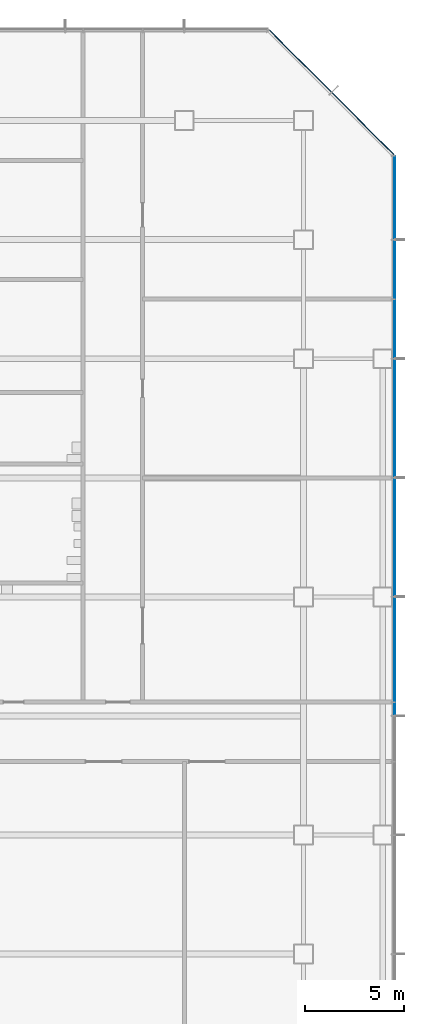
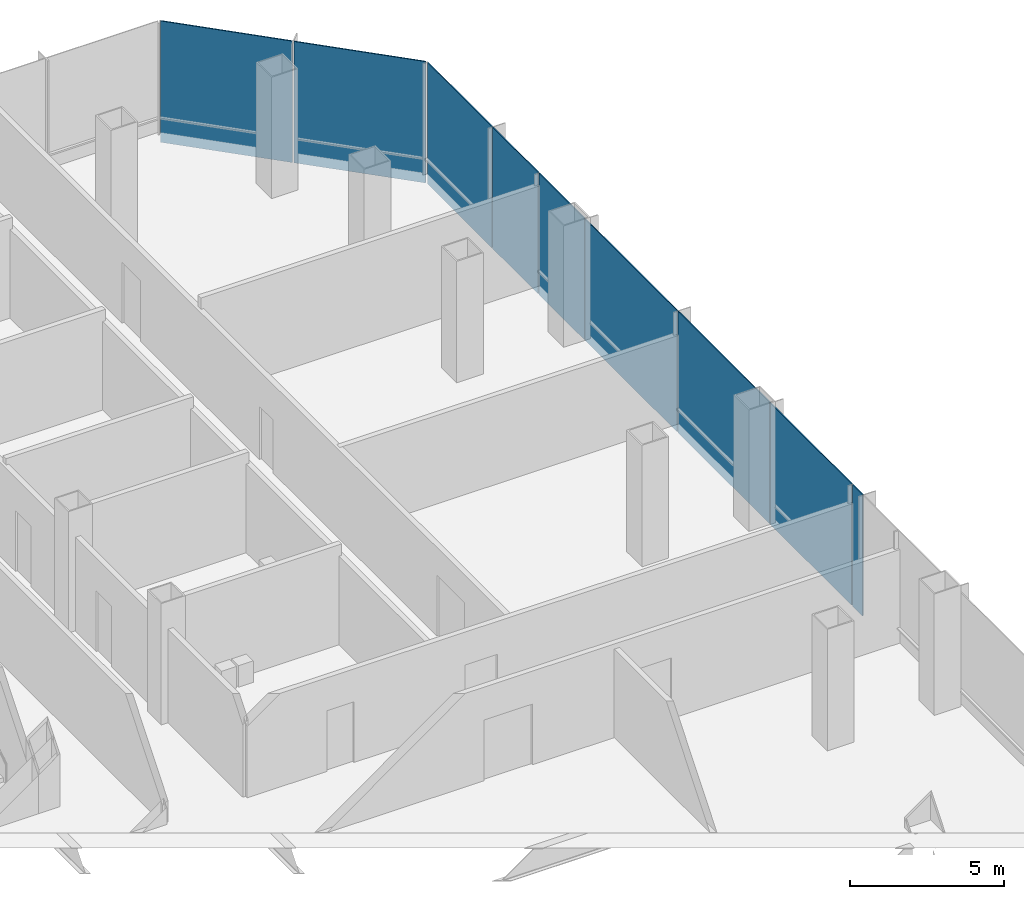
# One storey, part 22 of 33: 9 plates, 2 elements without a shape of their own.
"""IFC4 building model written with IfcOpenShell, lengths in metres."""

from ifc_helpers import new_model, si_unit, direction, frame, origin, origin_2d, place, context, subcontext, project, spatial, rectangle, extrude, material, layer, layer_set, type_object, element, aggregate, save


model = new_model("IFC4")

# Units and contexts
model_context = context("Model", 3, precision=1e-05, world=origin(), true_north=direction((0.0, 1.0)))
body_context = subcontext(model_context, "Body", "Model", "MODEL_VIEW")
ifc_project = project(units=[si_unit("LENGTHUNIT", "METRE"), si_unit("AREAUNIT", "SQUARE_METRE"), si_unit("VOLUMEUNIT", "CUBIC_METRE"), si_unit("PLANEANGLEUNIT", "RADIAN"), si_unit("MASSUNIT", "GRAM", prefix="KILO")], contexts=[model_context])

# Site, building, storey
site_placement = place(None, origin())
site = spatial("IfcSite", under=ifc_project, at=site_placement, CompositionType="ELEMENT")
building_placement = place(site_placement, origin())
building = spatial("IfcBuilding", under=site, at=building_placement, Name="Sorahane Residences", CompositionType="ELEMENT")
storey_placement = place(building_placement, frame((0.0, 0.0, 25.199951171875)))
storey = spatial("IfcBuildingStorey", under=building, at=storey_placement, Name="L03", CompositionType="ELEMENT", Elevation=25.199951171875)

# Curtain wall, plates
ifc_material_1 = material(Name="Dark low-e glass and black anodised aluminium", Category="aluminium")
curtain_wall_type = type_object("IfcCurtainWallType", Name="Curtain wall CW-3 Podium unitised wall", PredefinedType="NOTDEFINED", material=ifc_material_1)
curtain_wall_1_placement = place(storey_placement, origin())
curtain_wall_1 = element("IfcCurtainWall", 1, at=curtain_wall_1_placement, inside=storey, type_object=curtain_wall_type, Name="CW-3 curtain wall L03 E1", PredefinedType="NOTDEFINED")
ifc_material_2 = material(Name="Dark low-e glass with black ceramic frit", Category="glass")
ifc_layer = layer(ifc_material_2, 0.0400390625)
ifc_layer_set = layer_set([ifc_layer], Name="Curtain wall glass panel dark low-e podium with black frit spandrel band")
plate_type = type_object("IfcPlateType", Name="Curtain wall glass panel dark low-e podium with black frit spandrel band", PredefinedType="CURTAIN_PANEL", material=ifc_layer_set)
plate_1_placement = place(storey_placement, frame((70.60009765625, 18.35009765625, -0.39990234375), z_axis=(0.0, 0.0, 1.0), x_axis=(0.0, 1.0, 0.0)))
plate_1 = element("IfcPlate", 2, at=plate_1_placement, type_object=plate_type, Name="CW-3 glass panel L03 E1.5", PredefinedType="CURTAIN_PANEL", context=body_context, shape_type="SweptSolid", body=[
    extrude(rectangle(XDim=0.64990234375, YDim=0.0400390625, at=origin_2d()), origin(), (0.0, 0.0, 1.0), 4.800048828125),
])
plate_2_placement = place(storey_placement, frame((70.60009765625, 21.35009765625, -0.39990234375), z_axis=(0.0, 0.0, 1.0), x_axis=(0.0, 1.0, 0.0)))
plate_2 = element("IfcPlate", 3, at=plate_2_placement, type_object=plate_type, Name="CW-3 glass panel L03 E1.6", PredefinedType="CURTAIN_PANEL", context=body_context, shape_type="SweptSolid", body=[
    extrude(rectangle(XDim=5.25, YDim=0.0400390625, at=origin_2d()), origin(), (0.0, 0.0, 1.0), 4.800048828125),
])
plate_3_placement = place(storey_placement, frame((70.60009765625, 27.0, -0.39990234375), z_axis=(0.0, 0.0, 1.0), x_axis=(0.0, 1.0, 0.0)))
plate_3 = element("IfcPlate", 4, at=plate_3_placement, type_object=plate_type, Name="CW-3 glass panel L03 E1.7", PredefinedType="CURTAIN_PANEL", context=body_context, shape_type="SweptSolid", body=[
    extrude(rectangle(XDim=5.949951171875, YDim=0.0400390625, at=origin_2d()), origin(), (0.0, 0.0, 1.0), 4.800048828125),
])
plate_4_placement = place(storey_placement, frame((70.60009765625, 33.0, -0.39990234375), z_axis=(0.0, 0.0, 1.0), x_axis=(0.0, 1.0, 0.0)))
plate_4 = element("IfcPlate", 5, at=plate_4_placement, type_object=plate_type, Name="CW-3 glass panel L03 E1.8", PredefinedType="CURTAIN_PANEL", context=body_context, shape_type="SweptSolid", body=[
    extrude(rectangle(XDim=5.949951171875, YDim=0.0400390625, at=origin_2d()), origin(), (0.0, 0.0, 1.0), 4.800048828125),
])
plate_5_placement = place(storey_placement, frame((70.60009765625, 37.5, -0.39990234375), z_axis=(0.0, 0.0, 1.0), x_axis=(0.0, 1.0, 0.0)))
plate_5 = element("IfcPlate", 6, at=plate_5_placement, type_object=plate_type, Name="CW-3 glass panel L03 E1.9", PredefinedType="CURTAIN_PANEL", context=body_context, shape_type="SweptSolid", body=[
    extrude(rectangle(XDim=2.949951171875, YDim=0.0400390625, at=origin_2d()), origin(), (0.0, 0.0, 1.0), 4.800048828125),
])
plate_6_placement = place(storey_placement, frame((70.60009765625, 40.5, -0.39990234375), z_axis=(0.0, 0.0, 1.0), x_axis=(0.0, 1.0, 0.0)))
plate_6 = element("IfcPlate", 7, at=plate_6_placement, type_object=plate_type, Name="CW-3 glass panel L03 E1.10", PredefinedType="CURTAIN_PANEL", context=body_context, shape_type="SweptSolid", body=[
    extrude(rectangle(XDim=2.949951171875, YDim=0.0400390625, at=origin_2d()), origin(), (0.0, 0.0, 1.0), 4.800048828125),
])
plate_7_placement = place(storey_placement, frame((70.60009765625, 44.11181640625, -0.39990234375), z_axis=(0.0, 0.0, 1.0), x_axis=(0.0, 1.0, 0.0)))
plate_7 = element("IfcPlate", 8, at=plate_7_placement, type_object=plate_type, Name="CW-3 glass panel L03 E1.11", PredefinedType="CURTAIN_PANEL", context=body_context, shape_type="SweptSolid", body=[
    extrude(rectangle(XDim=4.173583984375, YDim=0.0400390625, at=origin_2d()), origin(), (0.0, 0.0, 1.0), 4.800048828125),
])
aggregate(curtain_wall_1, [plate_1, plate_2, plate_3, plate_4, plate_5, plate_6, plate_7])

curtain_wall_2_placement = place(storey_placement, origin())
curtain_wall_2 = element("IfcCurtainWall", 9, at=curtain_wall_2_placement, inside=storey, type_object=curtain_wall_type, Name="CW-3 curtain wall L03 NE1", PredefinedType="NOTDEFINED")
plate_8_placement = place(storey_placement, frame((69.003173828125, 47.84521484375, -0.39990234375), z_axis=(0.0, 0.0, 1.0), x_axis=(-0.707106781187, 0.707106781187, 0.0)))
plate_8 = element("IfcPlate", 10, at=plate_8_placement, type_object=plate_type, Name="CW-3 glass panel L03 NE1.1", PredefinedType="CURTAIN_PANEL", context=body_context, shape_type="SweptSolid", body=[
    extrude(rectangle(XDim=4.416259765625, YDim=0.0400390625, at=origin_2d()), origin(), (0.0, 0.0, 1.0), 4.800048828125),
])
plate_9_placement = place(storey_placement, frame((65.84521484375, 51.003173828125, -0.39990234375), z_axis=(0.0, 0.0, 1.0), x_axis=(-0.707106781187, 0.707106781187, 0.0)))
plate_9 = element("IfcPlate", 11, at=plate_9_placement, type_object=plate_type, Name="CW-3 glass panel L03 NE1.2", PredefinedType="CURTAIN_PANEL", context=body_context, shape_type="SweptSolid", body=[
    extrude(rectangle(XDim=4.416259765625, YDim=0.0400390625, at=origin_2d()), origin(), (0.0, 0.0, 1.0), 4.800048828125),
])
aggregate(curtain_wall_2, [plate_8, plate_9])

save(model, "model.ifc")
